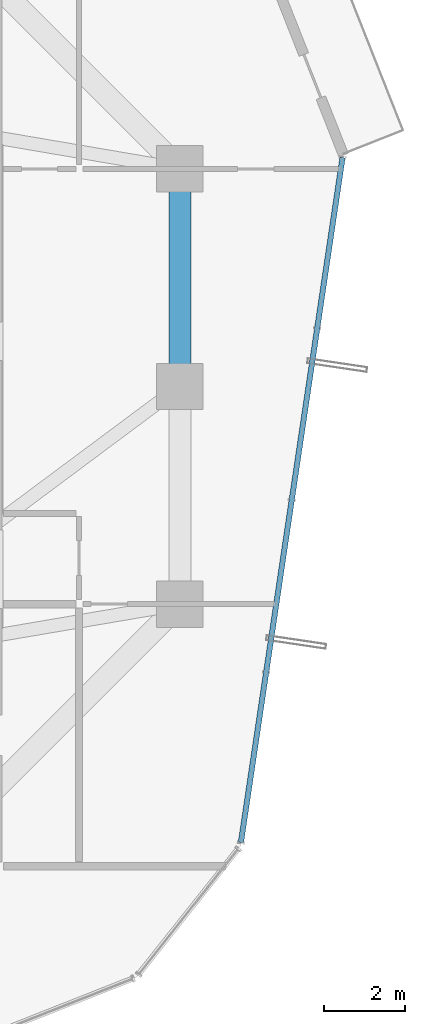
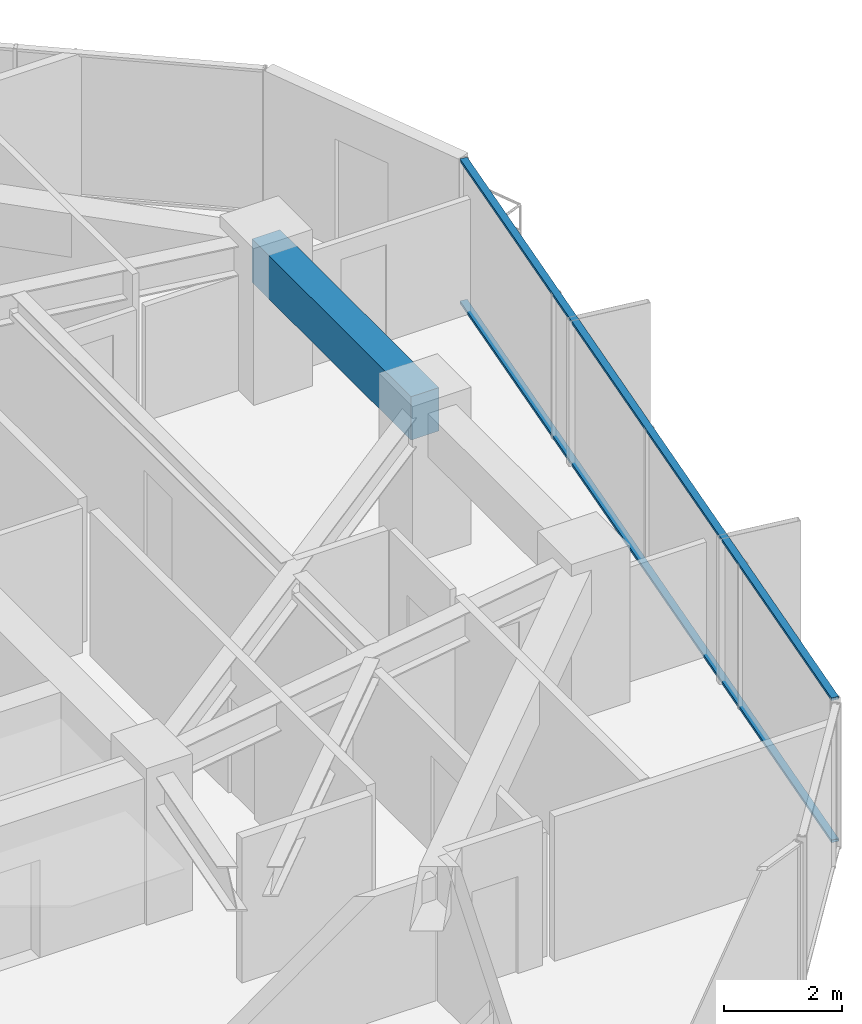
# One storey, part 16 of 29: 2 members, 1 beam, 1 element without a shape of its own.
"""IFC4 building model written with IfcOpenShell, lengths in metres."""

from ifc_helpers import new_model, si_unit, direction, frame, origin, origin_2d, place, context, subcontext, project, spatial, rectangle, hollow_rectangle, extrude, source, transform, mapped, material, layer, layer_set, material_profile, profile_set, type_object, element, aggregate, save


model = new_model("IFC4")

# Units and contexts
model_context = context("Model", 3, precision=1e-05, world=origin(), true_north=direction((0.0, 1.0)))
body_context = subcontext(model_context, "Body", "Model", "MODEL_VIEW")
ifc_project = project(units=[si_unit("LENGTHUNIT", "METRE"), si_unit("AREAUNIT", "SQUARE_METRE"), si_unit("VOLUMEUNIT", "CUBIC_METRE"), si_unit("PLANEANGLEUNIT", "RADIAN"), si_unit("MASSUNIT", "GRAM", prefix="KILO")], contexts=[model_context])

# Site, building, storey
site_placement = place(None, origin())
site = spatial("IfcSite", under=ifc_project, at=site_placement, CompositionType="ELEMENT")
building_placement = place(site_placement, origin())
building = spatial("IfcBuilding", under=site, at=building_placement, Name="Veraguas Prism Commons", CompositionType="ELEMENT")
storey_placement = place(building_placement, frame((0.0, 0.0, 99.199951171875)))
storey = spatial("IfcBuildingStorey", under=building, at=storey_placement, Name="L27", CompositionType="ELEMENT", Elevation=99.199951171875)

# Beam
ifc_material_1 = material(Name="Concrete C50/60", Category="concrete")
ifc_material_profile_1 = material_profile(ifc_material_1, rectangle(XDim=0.550048828125, YDim=0.89990234375, at=origin_2d()), Name="RC550X900")
ifc_profile_set_1 = profile_set([ifc_material_profile_1], Name="Concrete C50/60")
beam_type = type_object("IfcBeamType", Name="Perimeter Spandrel Lower RC 550x900", PredefinedType="SPANDREL", material=ifc_profile_set_1)
beam_placement = place(storey_placement, frame((40.199951171875, 24.0, 2.550048828125), z_axis=(0.0, 1.0, 0.0), x_axis=(-1.0, 0.0, 0.0)))
element("IfcBeam", 1, at=beam_placement, inside=storey, type_object=beam_type, Name="Perimeter Spandrel Beam L27-SP02", PredefinedType="SPANDREL", context=body_context, shape_type="SweptSolid", body=[
    extrude(rectangle(XDim=0.550048828125, YDim=0.89990234375, at=origin_2d()), origin(), (0.0, 0.0, 1.0), 5.39990234375),
])

# Curtain wall, members
ifc_material_2 = material(Name="Anodised aluminium EN AW-6063 T6", Category="aluminium")
ifc_layer = layer(ifc_material_2, 0.169921875, Name="Unitised Flush Curtain Wall Zone 2", Category="aluminium")
ifc_layer_set = layer_set([ifc_layer], Name="Anodised aluminium EN AW-6063 T6")
curtain_wall_type = type_object("IfcCurtainWallType", Name="Unitised Flush Curtain Wall Zone 2", PredefinedType="NOTDEFINED", material=ifc_layer_set)
curtain_wall_placement = place(storey_placement, origin())
curtain_wall = element("IfcCurtainWall", 2, at=curtain_wall_placement, inside=storey, type_object=curtain_wall_type, Name="Tower Facade Curtain Wall L27-F6", PredefinedType="NOTDEFINED")
ifc_material_profile_2 = material_profile(ifc_material_2, hollow_rectangle(XDim=0.054931640625, YDim=0.135009765625, WallThickness=0.0029296875, at=origin_2d()), Name="AL55X135X3")
ifc_profile_set_2 = profile_set([ifc_material_profile_2], Name="Anodised aluminium EN AW-6063 T6")
member_type = type_object("IfcMemberType", Name="Curtain Wall Transom Standard AL 55x135x3", PredefinedType="USERDEFINED", material=ifc_profile_set_2)
shared_shape = source(origin(), body_context, "Body", "SweptSolid", [
    extrude(hollow_rectangle(XDim=0.054931640625, YDim=0.135009765625, WallThickness=0.0029296875, at=origin_2d()), origin(), (0.0, 0.0, 1.0), 17.17431640625),
])
member_1_placement = place(storey_placement, frame((41.71435546875, 12.6904296875, 0.027587890625), z_axis=(0.146774826493, 0.989169929945, 0.0), x_axis=(0.0, 0.0, 1.0)))
member_1 = element("IfcMember", 3, at=member_1_placement, type_object=member_type, Name="CW-Z2 Transom 1", ObjectType="TRANSOM", PredefinedType="USERDEFINED", context=body_context, shape_type="MappedRepresentation", body=[
    mapped(shared_shape, transform((0.0, 0.0, 0.0), scale=1.0)),
])
member_2_placement = place(storey_placement, frame((41.71435546875, 12.6904296875, 2.97265625), z_axis=(0.146774826493, 0.989169929945, 0.0), x_axis=(0.0, 0.0, 1.0)))
member_2 = element("IfcMember", 4, at=member_2_placement, type_object=member_type, Name="CW-Z2 Transom 2", ObjectType="TRANSOM", PredefinedType="USERDEFINED", context=body_context, shape_type="MappedRepresentation", body=[
    mapped(shared_shape, transform((0.0, 0.0, 0.0), scale=1.0)),
])
aggregate(curtain_wall, [member_1, member_2])

save(model, "model.ifc")
